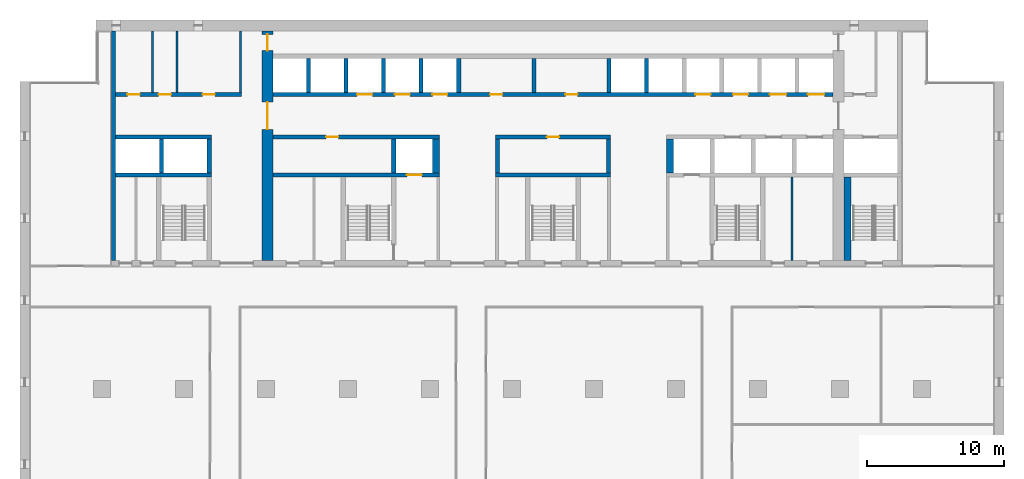
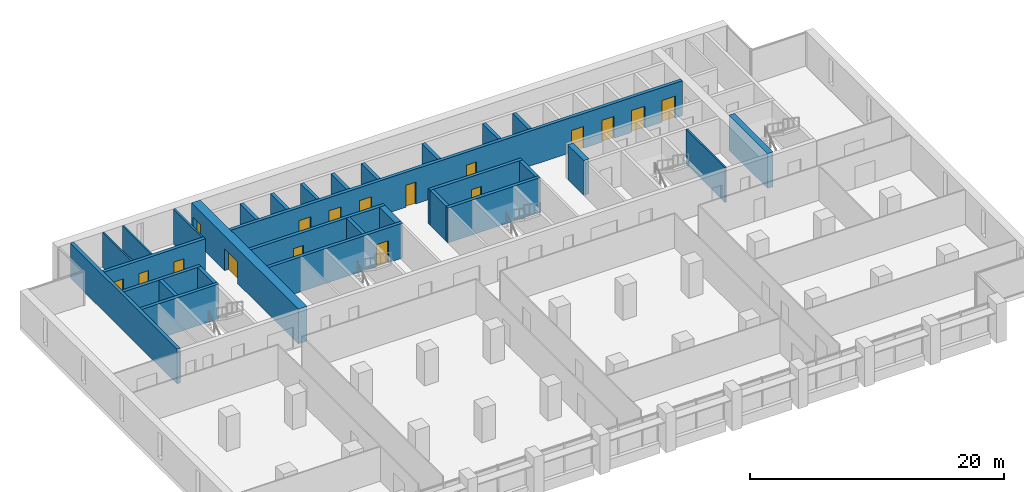
# One storey, part 10 of 16: 30 walls, 17 doors, 17 openings.
"""IFC4 building model written with IfcOpenShell, lengths in metres."""

from ifc_helpers import new_model, si_unit, direction, frame, frame_2d, origin, place, context, subcontext, project, spatial, rectangle, extrude, material, layer, layer_set, type_object, element, fill, save


model = new_model("IFC4")

# Units and contexts
model_context = context("Model", 3, precision=1e-05, world=origin(), true_north=direction((0.0, 1.0)))
body_context = subcontext(model_context, "Body", "Model", "MODEL_VIEW")
ifc_project = project(units=[si_unit("LENGTHUNIT", "METRE"), si_unit("AREAUNIT", "SQUARE_METRE"), si_unit("VOLUMEUNIT", "CUBIC_METRE"), si_unit("PLANEANGLEUNIT", "RADIAN"), si_unit("MASSUNIT", "GRAM", prefix="KILO")], contexts=[model_context])

# Site, building, storey
site_placement = place(None, origin())
site = spatial("IfcSite", under=ifc_project, at=site_placement, CompositionType="ELEMENT")
building_placement = place(site_placement, origin())
building = spatial("IfcBuilding", under=site, at=building_placement, Name="Calvaro Tower", CompositionType="ELEMENT")
storey_placement = place(building_placement, frame((0.0, 0.0, 140.0)))
storey = spatial("IfcBuildingStorey", under=building, at=storey_placement, Name="L35", CompositionType="ELEMENT", Elevation=140.0)

# Walls
ifc_material_1 = material(Name="Blockwork partition", Category="masonry")
ifc_layer_1 = layer(ifc_material_1, 0.14990234375)
ifc_layer_set_1 = layer_set([ifc_layer_1], Name="Blockwork partition")
wall_type_1 = type_object("IfcWallType", Name="Core partition 150 EI 60", PredefinedType="PARTITIONING", material=ifc_layer_set_1)
wall_1_placement = place(storey_placement, frame((56.5, 28.39990234375, 0.0), z_axis=(0.0, 0.0, 1.0), x_axis=(0.0, 1.0, 0.0)))
element("IfcWall", 1, at=wall_1_placement, inside=storey, type_object=wall_type_1, Name="Core partition", PredefinedType="PARTITIONING", context=body_context, shape_type="SweptSolid", body=[
    extrude(rectangle(XDim=6.10009765625, YDim=0.14990234375, at=frame_2d((3.050048828125, 0.0))), origin(), (0.0, 0.0, 1.0), 3.35009765625),
])
for number, where, z_axis, x_axis, name in (
    (2, (9.699951171875, 40.699951171875, 0.0), (0.0, 0.0, 1.0), (0.0, 1.0, 0.0), "Core partition"),
    (3, (11.5, 40.699951171875, 0.0), (0.0, 0.0, 1.0), (0.0, 1.0, 0.0), "Core partition"),
):
    element("IfcWall", number, at=place(storey_placement, frame(where, z_axis=z_axis, x_axis=x_axis)), inside=storey, type_object=wall_type_1, Name=name, PredefinedType="PARTITIONING", context=body_context, shape_type="SweptSolid", body=[
        extrude(rectangle(XDim=4.5, YDim=0.14990234375, at=frame_2d((2.25, 0.0))), origin(), (0.0, 0.0, 1.0), 3.35009765625),
    ])
ifc_material_2 = material(Name="Blockwork partition", Category="masonry")
ifc_layer_2 = layer(ifc_material_2, 0.14990234375)
ifc_layer_set_2 = layer_set([ifc_layer_2], Name="Blockwork partition")
wall_type_2 = type_object("IfcWallType", Name="Core partition 150 REI 120", PredefinedType="PARTITIONING", material=ifc_layer_set_2)
wall_2_placement = place(storey_placement, frame((16.125, 40.699951171875, 0.0), z_axis=(0.0, 0.0, 1.0), x_axis=(0.0, 1.0, 0.0)))
element("IfcWall", 4, at=wall_2_placement, inside=storey, type_object=wall_type_2, Name="Core partition", PredefinedType="PARTITIONING", context=body_context, shape_type="SweptSolid", body=[
    extrude(rectangle(XDim=4.5, YDim=0.14990234375, at=frame_2d((2.25, 0.0))), origin(), (0.0, 0.0, 1.0), 3.35009765625),
])

# Wall, openings, doors
ifc_material_3 = material(Name="Blockwork partition", Category="masonry")
ifc_layer_3 = layer(ifc_material_3, 0.300048828125)
ifc_layer_set_3 = layer_set([ifc_layer_3], Name="Blockwork partition")
wall_type_3 = type_object("IfcWallType", Name="Core partition 300 REI 120", PredefinedType="PARTITIONING", material=ifc_layer_set_3)
wall_3_placement = place(storey_placement, frame((7.0, 40.550048828125, 0.0), z_axis=(0.0, 0.0, 1.0), x_axis=(1.0, 0.0, 0.0)))
wall_3 = element("IfcWall", 5, at=wall_3_placement, inside=storey, type_object=wall_type_3, Name="Core partition", PredefinedType="PARTITIONING", context=body_context, shape_type="SweptSolid", body=[
    extrude(rectangle(XDim=9.199951171875, YDim=0.300048828125, at=frame_2d((4.60009765625, 0.0))), origin(), (0.0, 0.0, 1.0), 3.35009765625),
])
opening_1_placement = place(wall_3_placement, frame((0.862548828125, 0.0, 0.0)))
opening_1 = element("IfcOpeningElement", 6, at=opening_1_placement, cuts=wall_3, Name="Opening RD9", PredefinedType="OPENING", context=body_context, shape_type="SweptSolid", body=[
    extrude(rectangle(XDim=0.89990234375, YDim=2.10009765625, at=frame_2d((0.449951171875, 1.050048828125))), frame((0.0, 0.159912109375, 0.0), z_axis=(0.0, -1.0, 0.0), x_axis=(1.0, 0.0, 0.0)), (0.0, 0.0, 1.0), 0.320068359375),
])
opening_2_placement = place(wall_3_placement, frame((3.14990234375, 0.0, 0.0)))
opening_2 = element("IfcOpeningElement", 7, at=opening_2_placement, cuts=wall_3, Name="Opening RD9", PredefinedType="OPENING", context=body_context, shape_type="SweptSolid", body=[
    extrude(rectangle(XDim=0.89990234375, YDim=2.10009765625, at=frame_2d((0.449951171875, 1.050048828125))), frame((0.0, 0.159912109375, 0.0), z_axis=(0.0, -1.0, 0.0), x_axis=(1.0, 0.0, 0.0)), (0.0, 0.0, 1.0), 0.320068359375),
])
opening_3_placement = place(wall_3_placement, frame((6.362548828125, 0.0, 0.0)))
opening_3 = element("IfcOpeningElement", 8, at=opening_3_placement, cuts=wall_3, Name="Opening RD9", PredefinedType="OPENING", context=body_context, shape_type="SweptSolid", body=[
    extrude(rectangle(XDim=0.89990234375, YDim=2.10009765625, at=frame_2d((0.449951171875, 1.050048828125))), frame((0.0, 0.159912109375, 0.0), z_axis=(0.0, -1.0, 0.0), x_axis=(1.0, 0.0, 0.0)), (0.0, 0.0, 1.0), 0.320068359375),
])
ifc_material_4 = material(Name="Steel door set", Category="steel")
door_type_1 = type_object("IfcDoorType", Name="Room door 900", OperationType="SINGLE_SWING_LEFT", PredefinedType="DOOR", material=ifc_material_4)
door_1_placement = place(opening_1_placement, origin())
door_1 = element("IfcDoor", 9, at=door_1_placement, inside=storey, type_object=door_type_1, Name="Room door", OperationType="SINGLE_SWING_LEFT", OverallHeight=2.10009765625, OverallWidth=0.89990234375, PredefinedType="DOOR", context=body_context, shape_type="SweptSolid", body=[
    extrude(rectangle(XDim=0.89990234375, YDim=2.10009765625, at=frame_2d((0.449951171875, 1.050048828125))), frame((0.0, 0.02490234375, 0.0), z_axis=(0.0, -1.0, 0.0), x_axis=(1.0, 0.0, 0.0)), (0.0, 0.0, 1.0), 0.050048828125),
])
fill(opening_1, door_1)
door_2_placement = place(opening_2_placement, origin())
door_2 = element("IfcDoor", 10, at=door_2_placement, inside=storey, type_object=door_type_1, Name="Room door", OperationType="SINGLE_SWING_LEFT", OverallHeight=2.10009765625, OverallWidth=0.89990234375, PredefinedType="DOOR", context=body_context, shape_type="SweptSolid", body=[
    extrude(rectangle(XDim=0.89990234375, YDim=2.10009765625, at=frame_2d((0.449951171875, 1.050048828125))), frame((0.0, 0.02490234375, 0.0), z_axis=(0.0, -1.0, 0.0), x_axis=(1.0, 0.0, 0.0)), (0.0, 0.0, 1.0), 0.050048828125),
])
fill(opening_2, door_2)
door_3_placement = place(opening_3_placement, origin())
door_3 = element("IfcDoor", 11, at=door_3_placement, inside=storey, type_object=door_type_1, Name="Room door", OperationType="SINGLE_SWING_LEFT", OverallHeight=2.10009765625, OverallWidth=0.89990234375, PredefinedType="DOOR", context=body_context, shape_type="SweptSolid", body=[
    extrude(rectangle(XDim=0.89990234375, YDim=2.10009765625, at=frame_2d((0.449951171875, 1.050048828125))), frame((0.0, 0.02490234375, 0.0), z_axis=(0.0, -1.0, 0.0), x_axis=(1.0, 0.0, 0.0)), (0.0, 0.0, 1.0), 0.050048828125),
])
fill(opening_3, door_3)

# Walls
wall_4_placement = place(storey_placement, frame((37.60009765625, 40.699951171875, 0.0), z_axis=(0.0, 0.0, 1.0), x_axis=(0.0, 1.0, 0.0)))
element("IfcWall", 12, at=wall_4_placement, inside=storey, type_object=wall_type_3, Name="Core partition", PredefinedType="PARTITIONING", context=body_context, shape_type="SweptSolid", body=[
    extrude(rectangle(XDim=2.5, YDim=0.300048828125, at=frame_2d((1.25, 0.0))), origin(), (0.0, 0.0, 1.0), 3.35009765625),
])
ifc_material_5 = material(Name="Concrete C60/75", Category="concrete")
ifc_layer_4 = layer(ifc_material_5, 0.300048828125)
ifc_layer_set_4 = layer_set([ifc_layer_4], Name="Concrete C60/75")
wall_type_4 = type_object("IfcWallType", Name="Core wall C60/75 300", PredefinedType="SHEAR", material=ifc_layer_set_4)
wall_5_placement = place(storey_placement, frame((6.85009765625, 28.39990234375, 0.0), z_axis=(0.0, 0.0, 1.0), x_axis=(0.0, 1.0, 0.0)))
element("IfcWall", 13, at=wall_5_placement, inside=storey, type_object=wall_type_4, Name="Core wall, boundary", PredefinedType="SHEAR", context=body_context, shape_type="SweptSolid", body=[
    extrude(rectangle(XDim=16.800048828125, YDim=0.300048828125, at=frame_2d((8.39990234375, 0.0))), origin(), (0.0, 0.0, 1.0), 3.35009765625),
])
wall_6_placement = place(storey_placement, frame((7.0, 34.64990234375, 0.0), z_axis=(0.0, 0.0, 1.0), x_axis=(1.0, 0.0, 0.0)))
element("IfcWall", 14, at=wall_6_placement, inside=storey, type_object=wall_type_4, Name="Core wall, lift shaft", PredefinedType="SHEAR", context=body_context, shape_type="SweptSolid", body=[
    extrude(rectangle(XDim=7.0, YDim=0.300048828125, at=frame_2d((3.5, 0.0))), origin(), (0.0, 0.0, 1.0), 3.35009765625),
])

# Wall, opening, door
wall_7_placement = place(storey_placement, frame((18.5, 34.64990234375, 0.0), z_axis=(0.0, 0.0, 1.0), x_axis=(1.0, 0.0, 0.0)))
wall_7 = element("IfcWall", 15, at=wall_7_placement, inside=storey, type_object=wall_type_4, Name="Core wall, lift shaft", PredefinedType="SHEAR", context=body_context, shape_type="SweptSolid", body=[
    extrude(rectangle(XDim=12.199951171875, YDim=0.300048828125, at=frame_2d((6.10009765625, 0.0))), origin(), (0.0, 0.0, 1.0), 3.35009765625),
])
opening_4_placement = place(wall_7_placement, frame((9.800048828125, 0.0, 0.0)))
opening_4 = element("IfcOpeningElement", 16, at=opening_4_placement, cuts=wall_7, Name="Opening FF1", PredefinedType="OPENING", context=body_context, shape_type="SweptSolid", body=[
    extrude(rectangle(XDim=1.10009765625, YDim=2.10009765625, at=frame_2d((0.550048828125, 1.050048828125))), frame((0.0, 0.159912109375, 0.0), z_axis=(0.0, -1.0, 0.0), x_axis=(1.0, 0.0, 0.0)), (0.0, 0.0, 1.0), 0.320068359375),
])
ifc_material_6 = material(Name="Stainless steel", Category="steel")
door_type_2 = type_object("IfcDoorType", Name="Landing door 1100 E 60", OperationType="SLIDING_TO_LEFT", PredefinedType="DOOR", material=ifc_material_6)
door_4_placement = place(opening_4_placement, origin())
door_4 = element("IfcDoor", 17, at=door_4_placement, inside=storey, type_object=door_type_2, Name="Landing door FF1", OperationType="SLIDING_TO_LEFT", OverallHeight=2.10009765625, OverallWidth=1.10009765625, PredefinedType="DOOR", context=body_context, shape_type="SweptSolid", body=[
    extrude(rectangle(XDim=1.10009765625, YDim=2.10009765625, at=frame_2d((0.550048828125, 1.050048828125))), frame((0.0, 0.02490234375, 0.0), z_axis=(0.0, -1.0, 0.0), x_axis=(1.0, 0.0, 0.0)), (0.0, 0.0, 1.0), 0.050048828125),
])
fill(opening_4, door_4)

# Walls
wall_8_placement = place(storey_placement, frame((34.800048828125, 34.64990234375, 0.0), z_axis=(0.0, 0.0, 1.0), x_axis=(1.0, 0.0, 0.0)))
element("IfcWall", 18, at=wall_8_placement, inside=storey, type_object=wall_type_4, Name="Core wall, lift shaft", PredefinedType="SHEAR", context=body_context, shape_type="SweptSolid", body=[
    extrude(rectangle(XDim=8.39990234375, YDim=0.300048828125, at=frame_2d((4.199951171875, 0.0))), origin(), (0.0, 0.0, 1.0), 3.35009765625),
])
wall_9_placement = place(storey_placement, frame((7.0, 37.449951171875, 0.0), z_axis=(0.0, 0.0, 1.0), x_axis=(1.0, 0.0, 0.0)))
element("IfcWall", 19, at=wall_9_placement, inside=storey, type_object=wall_type_4, Name="Core wall, lift shaft", PredefinedType="SHEAR", context=body_context, shape_type="SweptSolid", body=[
    extrude(rectangle(XDim=7.0, YDim=0.300048828125, at=frame_2d((3.5, 0.0))), origin(), (0.0, 0.0, 1.0), 3.35009765625),
])

# Wall, opening, door
wall_10_placement = place(storey_placement, frame((30.699951171875, 37.449951171875, 0.0), z_axis=(0.0, 0.0, 1.0), x_axis=(-1.0, 0.0, 0.0)))
wall_10 = element("IfcWall", 20, at=wall_10_placement, inside=storey, type_object=wall_type_4, Name="Core wall, bay", PredefinedType="SHEAR", context=body_context, shape_type="SweptSolid", body=[
    extrude(rectangle(XDim=12.199951171875, YDim=0.300048828125, at=frame_2d((6.10009765625, 0.0))), origin(), (0.0, 0.0, 1.0), 3.35009765625),
])
opening_5_placement = place(wall_10_placement, frame((7.39990234375, 0.0, 0.0)))
opening_5 = element("IfcOpeningElement", 21, at=opening_5_placement, cuts=wall_10, Name="Opening RD9E", PredefinedType="OPENING", context=body_context, shape_type="SweptSolid", body=[
    extrude(rectangle(XDim=0.89990234375, YDim=2.10009765625, at=frame_2d((0.449951171875, 1.050048828125))), frame((0.0, 0.159912109375, 0.0), z_axis=(0.0, -1.0, 0.0), x_axis=(1.0, 0.0, 0.0)), (0.0, 0.0, 1.0), 0.320068359375),
])
ifc_material_7 = material(Name="Steel door set", Category="steel")
door_type_3 = type_object("IfcDoorType", Name="Room door 900 FD60", OperationType="SINGLE_SWING_LEFT", PredefinedType="DOOR", material=ifc_material_7)
door_5_placement = place(opening_5_placement, origin())
door_5 = element("IfcDoor", 22, at=door_5_placement, inside=storey, type_object=door_type_3, Name="Room door", OperationType="SINGLE_SWING_LEFT", OverallHeight=2.10009765625, OverallWidth=0.89990234375, PredefinedType="DOOR", context=body_context, shape_type="SweptSolid", body=[
    extrude(rectangle(XDim=0.89990234375, YDim=2.10009765625, at=frame_2d((0.449951171875, 1.050048828125))), frame((0.0, 0.02490234375, 0.0), z_axis=(0.0, -1.0, 0.0), x_axis=(1.0, 0.0, 0.0)), (0.0, 0.0, 1.0), 0.050048828125),
])
fill(opening_5, door_5)

wall_11_placement = place(storey_placement, frame((43.199951171875, 37.449951171875, 0.0), z_axis=(0.0, 0.0, 1.0), x_axis=(-1.0, 0.0, 0.0)))
wall_11 = element("IfcWall", 23, at=wall_11_placement, inside=storey, type_object=wall_type_4, Name="Core wall, bay", PredefinedType="SHEAR", context=body_context, shape_type="SweptSolid", body=[
    extrude(rectangle(XDim=8.39990234375, YDim=0.300048828125, at=frame_2d((4.199951171875, 0.0))), origin(), (0.0, 0.0, 1.0), 3.35009765625),
])
opening_6_placement = place(wall_11_placement, frame((3.75, 0.0, 0.0)))
opening_6 = element("IfcOpeningElement", 24, at=opening_6_placement, cuts=wall_11, Name="Opening RD9E", PredefinedType="OPENING", context=body_context, shape_type="SweptSolid", body=[
    extrude(rectangle(XDim=0.89990234375, YDim=2.10009765625, at=frame_2d((0.449951171875, 1.050048828125))), frame((0.0, 0.159912109375, 0.0), z_axis=(0.0, -1.0, 0.0), x_axis=(1.0, 0.0, 0.0)), (0.0, 0.0, 1.0), 0.320068359375),
])
door_6_placement = place(opening_6_placement, origin())
door_6 = element("IfcDoor", 25, at=door_6_placement, inside=storey, type_object=door_type_3, Name="Room door", OperationType="SINGLE_SWING_RIGHT", OverallHeight=2.10009765625, OverallWidth=0.89990234375, PredefinedType="DOOR", context=body_context, shape_type="SweptSolid", body=[
    extrude(rectangle(XDim=0.89990234375, YDim=2.10009765625, at=frame_2d((0.449951171875, 1.050048828125))), frame((0.0, 0.02490234375, 0.0), z_axis=(0.0, -1.0, 0.0), x_axis=(1.0, 0.0, 0.0)), (0.0, 0.0, 1.0), 0.050048828125),
])
fill(opening_6, door_6)

# Walls
for number, where, z_axis, x_axis, name in (
    (26, (27.35009765625, 34.800048828125, 0.0), (0.0, 0.0, 1.0), (0.0, 1.0, 0.0), "Core wall, lift shaft"),
    (27, (34.949951171875, 34.800048828125, 0.0), (0.0, 0.0, 1.0), (0.0, 1.0, 0.0), "Core wall, lift shaft"),
    (28, (43.050048828125, 34.800048828125, 0.0), (0.0, 0.0, 1.0), (0.0, 1.0, 0.0), "Core wall, lift shaft"),
    (29, (13.85009765625, 34.800048828125, 0.0), (0.0, 0.0, 1.0), (0.0, 1.0, 0.0), "Core wall, lift shaft"),
):
    element("IfcWall", number, at=place(storey_placement, frame(where, z_axis=z_axis, x_axis=x_axis)), inside=storey, type_object=wall_type_4, Name=name, PredefinedType="SHEAR", context=body_context, shape_type="SweptSolid", body=[
        extrude(rectangle(XDim=2.5, YDim=0.300048828125, at=frame_2d((1.25, 0.0))), origin(), (0.0, 0.0, 1.0), 3.35009765625),
    ])

# Wall, openings, doors
wall_12_placement = place(storey_placement, frame((18.5, 40.550048828125, 0.0), z_axis=(0.0, 0.0, 1.0), x_axis=(1.0, 0.0, 0.0)))
wall_12 = element("IfcWall", 30, at=wall_12_placement, inside=storey, type_object=wall_type_4, Name="Core wall, bay", PredefinedType="SHEAR", context=body_context, shape_type="SweptSolid", body=[
    extrude(rectangle(XDim=41.0, YDim=0.300048828125, at=frame_2d((20.5, 0.0))), origin(), (0.0, 0.0, 1.0), 3.35009765625),
])
opening_7_placement = place(wall_12_placement, frame((15.89990234375, 0.0, 0.0)))
opening_7 = element("IfcOpeningElement", 31, at=opening_7_placement, cuts=wall_12, Name="Opening RD9E", PredefinedType="OPENING", context=body_context, shape_type="SweptSolid", body=[
    extrude(rectangle(XDim=0.89990234375, YDim=2.10009765625, at=frame_2d((0.449951171875, 1.050048828125))), frame((0.0, 0.159912109375, 0.0), z_axis=(0.0, -1.0, 0.0), x_axis=(1.0, 0.0, 0.0)), (0.0, 0.0, 1.0), 0.320068359375),
])
opening_8_placement = place(wall_12_placement, frame((21.39990234375, 0.0, 0.0)))
opening_8 = element("IfcOpeningElement", 32, at=opening_8_placement, cuts=wall_12, Name="Opening RD9E", PredefinedType="OPENING", context=body_context, shape_type="SweptSolid", body=[
    extrude(rectangle(XDim=0.89990234375, YDim=2.10009765625, at=frame_2d((0.449951171875, 1.050048828125))), frame((0.0, 0.159912109375, 0.0), z_axis=(0.0, -1.0, 0.0), x_axis=(1.0, 0.0, 0.0)), (0.0, 0.0, 1.0), 0.320068359375),
])
opening_9_placement = place(wall_12_placement, frame((6.175048828125, 0.0, 0.0)))
opening_9 = element("IfcOpeningElement", 33, at=opening_9_placement, cuts=wall_12, Name="Opening MR4", PredefinedType="OPENING", context=body_context, shape_type="SweptSolid", body=[
    extrude(rectangle(XDim=1.10009765625, YDim=2.10009765625, at=frame_2d((0.550048828125, 1.050048828125))), frame((0.0, 0.159912109375, 0.0), z_axis=(0.0, -1.0, 0.0), x_axis=(1.0, 0.0, 0.0)), (0.0, 0.0, 1.0), 0.320068359375),
])
opening_10_placement = place(wall_12_placement, frame((8.925048828125, 0.0, 0.0)))
opening_10 = element("IfcOpeningElement", 34, at=opening_10_placement, cuts=wall_12, Name="Opening MR5", PredefinedType="OPENING", context=body_context, shape_type="SweptSolid", body=[
    extrude(rectangle(XDim=1.10009765625, YDim=2.10009765625, at=frame_2d((0.550048828125, 1.050048828125))), frame((0.0, 0.159912109375, 0.0), z_axis=(0.0, -1.0, 0.0), x_axis=(1.0, 0.0, 0.0)), (0.0, 0.0, 1.0), 0.320068359375),
])
opening_11_placement = place(wall_12_placement, frame((11.675048828125, 0.0, 0.0)))
opening_11 = element("IfcOpeningElement", 35, at=opening_11_placement, cuts=wall_12, Name="Opening MR6", PredefinedType="OPENING", context=body_context, shape_type="SweptSolid", body=[
    extrude(rectangle(XDim=1.10009765625, YDim=2.10009765625, at=frame_2d((0.550048828125, 1.050048828125))), frame((0.0, 0.159912109375, 0.0), z_axis=(0.0, -1.0, 0.0), x_axis=(1.0, 0.0, 0.0)), (0.0, 0.0, 1.0), 0.320068359375),
])
opening_12_placement = place(wall_12_placement, frame((30.925048828125, 0.0, 0.0)))
opening_12 = element("IfcOpeningElement", 36, at=opening_12_placement, cuts=wall_12, Name="Opening MR7", PredefinedType="OPENING", context=body_context, shape_type="SweptSolid", body=[
    extrude(rectangle(XDim=1.10009765625, YDim=2.10009765625, at=frame_2d((0.550048828125, 1.050048828125))), frame((0.0, 0.159912109375, 0.0), z_axis=(0.0, -1.0, 0.0), x_axis=(1.0, 0.0, 0.0)), (0.0, 0.0, 1.0), 0.320068359375),
])
opening_13_placement = place(wall_12_placement, frame((33.675048828125, 0.0, 0.0)))
opening_13 = element("IfcOpeningElement", 37, at=opening_13_placement, cuts=wall_12, Name="Opening MR8", PredefinedType="OPENING", context=body_context, shape_type="SweptSolid", body=[
    extrude(rectangle(XDim=1.10009765625, YDim=2.10009765625, at=frame_2d((0.550048828125, 1.050048828125))), frame((0.0, 0.159912109375, 0.0), z_axis=(0.0, -1.0, 0.0), x_axis=(1.0, 0.0, 0.0)), (0.0, 0.0, 1.0), 0.320068359375),
])
opening_14_placement = place(wall_12_placement, frame((36.375, 0.0, 0.0)))
opening_14 = element("IfcOpeningElement", 38, at=opening_14_placement, cuts=wall_12, Name="Opening SV1", PredefinedType="OPENING", context=body_context, shape_type="SweptSolid", body=[
    extrude(rectangle(XDim=1.199951171875, YDim=2.10009765625, at=frame_2d((0.60009765625, 1.050048828125))), frame((0.0, 0.159912109375, 0.0), z_axis=(0.0, -1.0, 0.0), x_axis=(1.0, 0.0, 0.0)), (0.0, 0.0, 1.0), 0.320068359375),
])
opening_15_placement = place(wall_12_placement, frame((39.14990234375, 0.0, 0.0)))
opening_15 = element("IfcOpeningElement", 39, at=opening_15_placement, cuts=wall_12, Name="Opening SV2", PredefinedType="OPENING", context=body_context, shape_type="SweptSolid", body=[
    extrude(rectangle(XDim=1.199951171875, YDim=2.10009765625, at=frame_2d((0.60009765625, 1.050048828125))), frame((0.0, 0.159912109375, 0.0), z_axis=(0.0, -1.0, 0.0), x_axis=(1.0, 0.0, 0.0)), (0.0, 0.0, 1.0), 0.320068359375),
])
door_7_placement = place(opening_9_placement, origin())
door_7 = element("IfcDoor", 40, at=door_7_placement, inside=storey, type_object=door_type_2, Name="Landing door MR4", OperationType="SLIDING_TO_LEFT", OverallHeight=2.10009765625, OverallWidth=1.10009765625, PredefinedType="DOOR", context=body_context, shape_type="SweptSolid", body=[
    extrude(rectangle(XDim=1.10009765625, YDim=2.10009765625, at=frame_2d((0.550048828125, 1.050048828125))), frame((0.0, 0.02490234375, 0.0), z_axis=(0.0, -1.0, 0.0), x_axis=(1.0, 0.0, 0.0)), (0.0, 0.0, 1.0), 0.050048828125),
])
fill(opening_9, door_7)
door_8_placement = place(opening_10_placement, origin())
door_8 = element("IfcDoor", 41, at=door_8_placement, inside=storey, type_object=door_type_2, Name="Landing door MR5", OperationType="SLIDING_TO_LEFT", OverallHeight=2.10009765625, OverallWidth=1.10009765625, PredefinedType="DOOR", context=body_context, shape_type="SweptSolid", body=[
    extrude(rectangle(XDim=1.10009765625, YDim=2.10009765625, at=frame_2d((0.550048828125, 1.050048828125))), frame((0.0, 0.02490234375, 0.0), z_axis=(0.0, -1.0, 0.0), x_axis=(1.0, 0.0, 0.0)), (0.0, 0.0, 1.0), 0.050048828125),
])
fill(opening_10, door_8)
door_9_placement = place(opening_11_placement, origin())
door_9 = element("IfcDoor", 42, at=door_9_placement, inside=storey, type_object=door_type_2, Name="Landing door MR6", OperationType="SLIDING_TO_LEFT", OverallHeight=2.10009765625, OverallWidth=1.10009765625, PredefinedType="DOOR", context=body_context, shape_type="SweptSolid", body=[
    extrude(rectangle(XDim=1.10009765625, YDim=2.10009765625, at=frame_2d((0.550048828125, 1.050048828125))), frame((0.0, 0.02490234375, 0.0), z_axis=(0.0, -1.0, 0.0), x_axis=(1.0, 0.0, 0.0)), (0.0, 0.0, 1.0), 0.050048828125),
])
fill(opening_11, door_9)
door_10_placement = place(opening_12_placement, origin())
door_10 = element("IfcDoor", 43, at=door_10_placement, inside=storey, type_object=door_type_2, Name="Landing door MR7", OperationType="SLIDING_TO_LEFT", OverallHeight=2.10009765625, OverallWidth=1.10009765625, PredefinedType="DOOR", context=body_context, shape_type="SweptSolid", body=[
    extrude(rectangle(XDim=1.10009765625, YDim=2.10009765625, at=frame_2d((0.550048828125, 1.050048828125))), frame((0.0, 0.02490234375, 0.0), z_axis=(0.0, -1.0, 0.0), x_axis=(1.0, 0.0, 0.0)), (0.0, 0.0, 1.0), 0.050048828125),
])
fill(opening_12, door_10)
door_11_placement = place(opening_13_placement, origin())
door_11 = element("IfcDoor", 44, at=door_11_placement, inside=storey, type_object=door_type_2, Name="Landing door MR8", OperationType="SLIDING_TO_LEFT", OverallHeight=2.10009765625, OverallWidth=1.10009765625, PredefinedType="DOOR", context=body_context, shape_type="SweptSolid", body=[
    extrude(rectangle(XDim=1.10009765625, YDim=2.10009765625, at=frame_2d((0.550048828125, 1.050048828125))), frame((0.0, 0.02490234375, 0.0), z_axis=(0.0, -1.0, 0.0), x_axis=(1.0, 0.0, 0.0)), (0.0, 0.0, 1.0), 0.050048828125),
])
fill(opening_13, door_11)
ifc_material_8 = material(Name="Stainless steel", Category="steel")
door_type_4 = type_object("IfcDoorType", Name="Landing door 1200 E 60", OperationType="SLIDING_TO_LEFT", PredefinedType="DOOR", material=ifc_material_8)
door_12_placement = place(opening_14_placement, origin())
door_12 = element("IfcDoor", 45, at=door_12_placement, inside=storey, type_object=door_type_4, Name="Landing door SV1", OperationType="SLIDING_TO_LEFT", OverallHeight=2.10009765625, OverallWidth=1.199951171875, PredefinedType="DOOR", context=body_context, shape_type="SweptSolid", body=[
    extrude(rectangle(XDim=1.199951171875, YDim=2.10009765625, at=frame_2d((0.60009765625, 1.050048828125))), frame((0.0, 0.02490234375, 0.0), z_axis=(0.0, -1.0, 0.0), x_axis=(1.0, 0.0, 0.0)), (0.0, 0.0, 1.0), 0.050048828125),
])
fill(opening_14, door_12)
door_13_placement = place(opening_15_placement, origin())
door_13 = element("IfcDoor", 46, at=door_13_placement, inside=storey, type_object=door_type_4, Name="Landing door SV2", OperationType="SLIDING_TO_LEFT", OverallHeight=2.10009765625, OverallWidth=1.199951171875, PredefinedType="DOOR", context=body_context, shape_type="SweptSolid", body=[
    extrude(rectangle(XDim=1.199951171875, YDim=2.10009765625, at=frame_2d((0.60009765625, 1.050048828125))), frame((0.0, 0.02490234375, 0.0), z_axis=(0.0, -1.0, 0.0), x_axis=(1.0, 0.0, 0.0)), (0.0, 0.0, 1.0), 0.050048828125),
])
fill(opening_15, door_13)
door_14_placement = place(opening_7_placement, origin())
door_14 = element("IfcDoor", 47, at=door_14_placement, inside=storey, type_object=door_type_3, Name="Room door", OperationType="SINGLE_SWING_LEFT", OverallHeight=2.10009765625, OverallWidth=0.89990234375, PredefinedType="DOOR", context=body_context, shape_type="SweptSolid", body=[
    extrude(rectangle(XDim=0.89990234375, YDim=2.10009765625, at=frame_2d((0.449951171875, 1.050048828125))), frame((0.0, 0.02490234375, 0.0), z_axis=(0.0, -1.0, 0.0), x_axis=(1.0, 0.0, 0.0)), (0.0, 0.0, 1.0), 0.050048828125),
])
fill(opening_7, door_14)
door_15_placement = place(opening_8_placement, origin())
door_15 = element("IfcDoor", 48, at=door_15_placement, inside=storey, type_object=door_type_3, Name="Room door", OperationType="SINGLE_SWING_LEFT", OverallHeight=2.10009765625, OverallWidth=0.89990234375, PredefinedType="DOOR", context=body_context, shape_type="SweptSolid", body=[
    extrude(rectangle(XDim=0.89990234375, YDim=2.10009765625, at=frame_2d((0.449951171875, 1.050048828125))), frame((0.0, 0.02490234375, 0.0), z_axis=(0.0, -1.0, 0.0), x_axis=(1.0, 0.0, 0.0)), (0.0, 0.0, 1.0), 0.050048828125),
])
fill(opening_8, door_15)

# Walls
for number, where, z_axis, x_axis, name in (
    (49, (21.10009765625, 40.699951171875, 0.0), (0.0, 0.0, 1.0), (0.0, 1.0, 0.0), "Core wall, lift shaft"),
    (50, (23.85009765625, 40.699951171875, 0.0), (0.0, 0.0, 1.0), (0.0, 1.0, 0.0), "Core wall, lift shaft"),
    (51, (26.60009765625, 40.699951171875, 0.0), (0.0, 0.0, 1.0), (0.0, 1.0, 0.0), "Core wall, lift shaft"),
    (52, (29.35009765625, 40.699951171875, 0.0), (0.0, 0.0, 1.0), (0.0, 1.0, 0.0), "Core wall, lift shaft"),
    (53, (32.10009765625, 40.699951171875, 0.0), (0.0, 0.0, 1.0), (0.0, 1.0, 0.0), "Core wall, lift shaft"),
    (54, (43.10009765625, 40.699951171875, 0.0), (0.0, 0.0, 1.0), (0.0, 1.0, 0.0), "Core wall, lift shaft"),
    (55, (45.85009765625, 40.699951171875, 0.0), (0.0, 0.0, 1.0), (0.0, 1.0, 0.0), "Core wall, lift shaft"),
    (56, (10.35009765625, 34.800048828125, 0.0), (0.0, 0.0, 1.0), (0.0, 1.0, 0.0), "Core wall, lift shaft"),
):
    element("IfcWall", number, at=place(storey_placement, frame(where, z_axis=z_axis, x_axis=x_axis)), inside=storey, type_object=wall_type_4, Name=name, PredefinedType="SHEAR", context=body_context, shape_type="SweptSolid", body=[
        extrude(rectangle(XDim=2.5, YDim=0.300048828125, at=frame_2d((1.25, 0.0))), origin(), (0.0, 0.0, 1.0), 3.35009765625),
    ])
ifc_material_9 = material(Name="Concrete C60/75", Category="concrete")
ifc_layer_5 = layer(ifc_material_9, 0.5)
ifc_layer_set_5 = layer_set([ifc_layer_5], Name="Concrete C60/75")
wall_type_5 = type_object("IfcWallType", Name="Core wall C60/75 500", PredefinedType="SHEAR", material=ifc_layer_set_5)
wall_13_placement = place(storey_placement, frame((60.550048828125, 28.39990234375, 0.0), z_axis=(0.0, 0.0, 1.0), x_axis=(0.0, 1.0, 0.0)))
element("IfcWall", 57, at=wall_13_placement, inside=storey, type_object=wall_type_5, Name="Core wall, stair enclosure", PredefinedType="SHEAR", context=body_context, shape_type="SweptSolid", body=[
    extrude(rectangle(XDim=6.10009765625, YDim=0.5, at=frame_2d((3.050048828125, 0.0))), origin(), (0.0, 0.0, 1.0), 3.35009765625),
])
for number, where, z_axis, x_axis, name in (
    (58, (30.449951171875, 34.800048828125, 0.0), (0.0, 0.0, 1.0), (0.0, 1.0, 0.0), "Core wall, lift shaft"),
    (59, (47.550048828125, 34.800048828125, 0.0), (0.0, 0.0, 1.0), (0.0, 1.0, 0.0), "Core wall, lift shaft"),
):
    element("IfcWall", number, at=place(storey_placement, frame(where, z_axis=z_axis, x_axis=x_axis)), inside=storey, type_object=wall_type_5, Name=name, PredefinedType="SHEAR", context=body_context, shape_type="SweptSolid", body=[
        extrude(rectangle(XDim=2.5, YDim=0.5, at=frame_2d((1.25, 0.0))), origin(), (0.0, 0.0, 1.0), 3.35009765625),
    ])

# Wall, openings, doors
ifc_material_10 = material(Name="Concrete C60/75", Category="concrete")
ifc_layer_6 = layer(ifc_material_10, 0.800048828125)
ifc_layer_set_6 = layer_set([ifc_layer_6], Name="Concrete C60/75")
wall_type_6 = type_object("IfcWallType", Name="Core wall C60/75 800", PredefinedType="SHEAR", material=ifc_layer_set_6)
wall_14_placement = place(storey_placement, frame((18.10009765625, 28.39990234375, 0.0), z_axis=(0.0, 0.0, 1.0), x_axis=(0.0, 1.0, 0.0)))
wall_14 = element("IfcWall", 60, at=wall_14_placement, inside=storey, type_object=wall_type_6, Name="Core wall, cross shear wall", PredefinedType="SHEAR", context=body_context, shape_type="SweptSolid", body=[
    extrude(rectangle(XDim=16.800048828125, YDim=0.800048828125, at=frame_2d((8.39990234375, 0.0))), origin(), (0.0, 0.0, 1.0), 3.35009765625),
])
opening_16_placement = place(wall_14_placement, frame((9.60009765625, 0.0, 0.0)))
opening_16 = element("IfcOpeningElement", 61, at=opening_16_placement, cuts=wall_14, Name="Opening DD20D", PredefinedType="OPENING", context=body_context, shape_type="SweptSolid", body=[
    extrude(rectangle(XDim=2.0, YDim=2.10009765625, at=frame_2d((1.0, 1.050048828125))), frame((0.0, 0.409912109375, 0.0), z_axis=(0.0, -1.0, 0.0), x_axis=(1.0, 0.0, 0.0)), (0.0, 0.0, 1.0), 0.820068359375),
])
opening_17_placement = place(wall_14_placement, frame((15.35009765625, 0.0, 0.0)))
opening_17 = element("IfcOpeningElement", 62, at=opening_17_placement, cuts=wall_14, Name="Opening FD12C", PredefinedType="OPENING", context=body_context, shape_type="SweptSolid", body=[
    extrude(rectangle(XDim=1.199951171875, YDim=2.10009765625, at=frame_2d((0.60009765625, 1.050048828125))), frame((0.0, 0.409912109375, 0.0), z_axis=(0.0, -1.0, 0.0), x_axis=(1.0, 0.0, 0.0)), (0.0, 0.0, 1.0), 0.820068359375),
])
ifc_material_11 = material(Name="Steel door set", Category="steel")
door_type_5 = type_object("IfcDoorType", Name="Fire door 1200 FD30", OperationType="SINGLE_SWING_LEFT", PredefinedType="DOOR", material=ifc_material_11)
door_16_placement = place(opening_17_placement, origin())
door_16 = element("IfcDoor", 63, at=door_16_placement, inside=storey, type_object=door_type_5, Name="Fire door", OperationType="SINGLE_SWING_LEFT", OverallHeight=2.10009765625, OverallWidth=1.199951171875, PredefinedType="DOOR", context=body_context, shape_type="SweptSolid", body=[
    extrude(rectangle(XDim=1.199951171875, YDim=2.10009765625, at=frame_2d((0.60009765625, 1.050048828125))), frame((0.0, 0.02490234375, 0.0), z_axis=(0.0, -1.0, 0.0), x_axis=(1.0, 0.0, 0.0)), (0.0, 0.0, 1.0), 0.050048828125),
])
fill(opening_17, door_16)
ifc_material_12 = material(Name="Steel door set", Category="steel")
door_type_6 = type_object("IfcDoorType", Name="Lobby double door 2000 FD30S", OperationType="DOUBLE_DOOR_SINGLE_SWING", PredefinedType="DOOR", material=ifc_material_12)
door_17_placement = place(opening_16_placement, origin())
door_17 = element("IfcDoor", 64, at=door_17_placement, inside=storey, type_object=door_type_6, Name="Lobby double door", OperationType="DOUBLE_DOOR_SINGLE_SWING", OverallHeight=2.10009765625, OverallWidth=2.0, PredefinedType="DOOR", context=body_context, shape_type="SweptSolid", body=[
    extrude(rectangle(XDim=2.0, YDim=2.10009765625, at=frame_2d((1.0, 1.050048828125))), frame((0.0, 0.02490234375, 0.0), z_axis=(0.0, -1.0, 0.0), x_axis=(1.0, 0.0, 0.0)), (0.0, 0.0, 1.0), 0.050048828125),
])
fill(opening_16, door_17)

save(model, "model.ifc")
